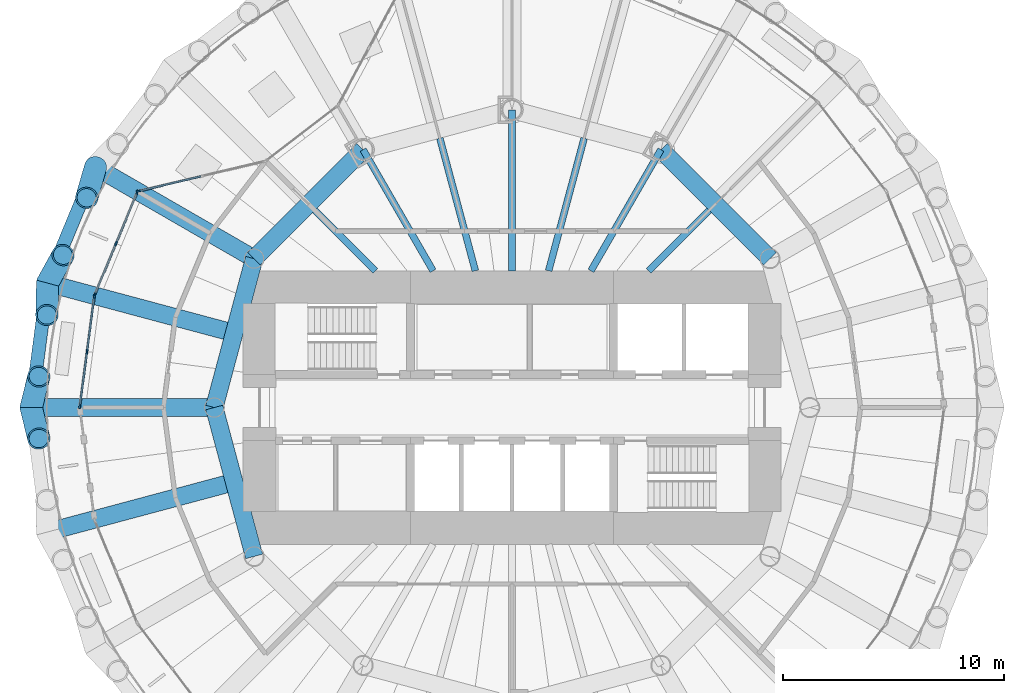
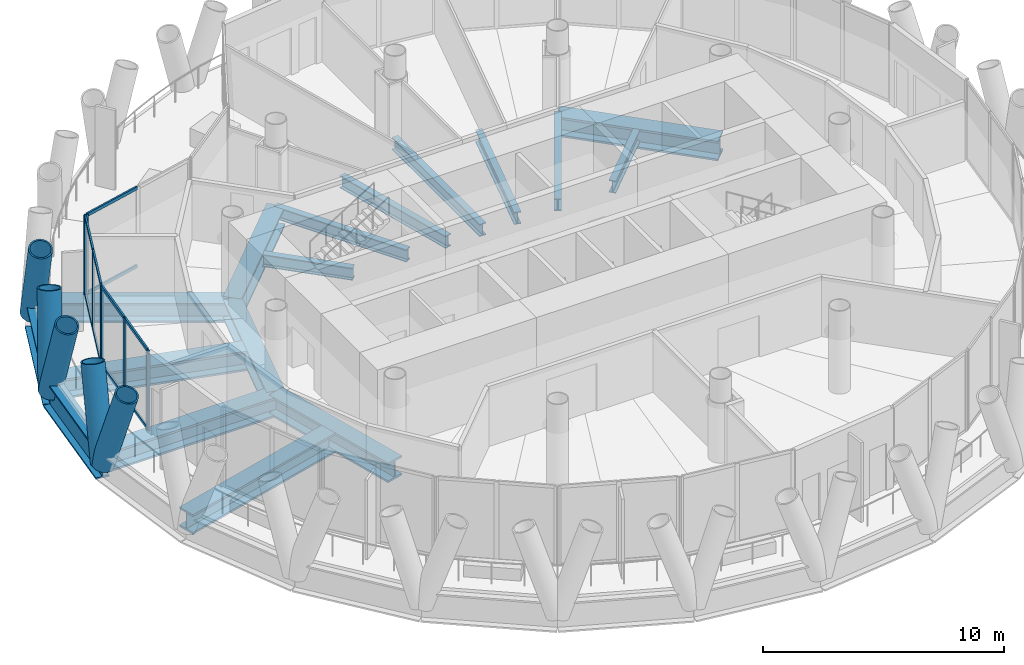
# One storey, part 3 of 14: 22 members, 17 beams, 3 elements without a shape of their own.
"""IFC4 building model written with IfcOpenShell, lengths in metres."""

from ifc_helpers import new_model, si_unit, direction, frame, origin, origin_2d, place, context, subcontext, project, spatial, rectangle, hollow_circle, i_section, extrude, material, material_profile, profile_set, type_object, element, aggregate, save


model = new_model("IFC4")

# Units and contexts
model_context = context("Model", 3, precision=1e-05, world=origin(), true_north=direction((0.0, 1.0)))
body_context = subcontext(model_context, "Body", "Model", "MODEL_VIEW")
ifc_project = project(units=[si_unit("LENGTHUNIT", "METRE"), si_unit("AREAUNIT", "SQUARE_METRE"), si_unit("VOLUMEUNIT", "CUBIC_METRE"), si_unit("PLANEANGLEUNIT", "RADIAN"), si_unit("MASSUNIT", "GRAM", prefix="KILO")], contexts=[model_context])

# Site, building, storey
site_placement = place(None, origin())
site = spatial("IfcSite", under=ifc_project, at=site_placement, CompositionType="ELEMENT")
building_placement = place(site_placement, origin())
building = spatial("IfcBuilding", under=site, at=building_placement, Name="Qaws Media Tower", CompositionType="ELEMENT")
storey_placement = place(building_placement, frame((0.0, 0.0, 261.199951171875)))
storey = spatial("IfcBuildingStorey", under=building, at=storey_placement, Name="L60", CompositionType="ELEMENT", Elevation=261.199951171875)

# Curtain wall, member
ifc_material_1 = material(Name="Aluminium and clear glass", Category="aluminium")
curtain_wall_type_1 = type_object("IfcCurtainWallType", Name="Loggia curtain wall CW-G", PredefinedType="NOTDEFINED", material=ifc_material_1)
curtain_wall_1_placement = place(storey_placement, origin())
curtain_wall_1 = element("IfcCurtainWall", 1, at=curtain_wall_1_placement, inside=storey, type_object=curtain_wall_type_1, Name="CWG curtain wall L60-10", PredefinedType="NOTDEFINED")
ifc_material_2 = material(Name="Aluminium mullion", Category="aluminium")
ifc_material_profile_1 = material_profile(ifc_material_2, rectangle(XDim=0.080078125, YDim=0.199951171875, at=origin_2d()), Name="80x200")
ifc_profile_set_1 = profile_set([ifc_material_profile_1], Name="Aluminium mullion")
member_type_1 = type_object("IfcMemberType", Name="Curtain wall mullion 80x200", PredefinedType="MULLION", material=ifc_profile_set_1)
member_1_placement = place(storey_placement, frame((43.06494140625, 59.809326171875, 0.0), z_axis=(0.0, 0.0, 1.0), x_axis=(0.230176342162, -0.973148935934, 0.0)))
member_1 = element("IfcMember", 2, at=member_1_placement, type_object=member_type_1, Name="CWG mullion 3", PredefinedType="MULLION", context=body_context, shape_type="SweptSolid", body=[
    extrude(rectangle(XDim=0.080078125, YDim=0.199951171875, at=origin_2d()), origin(), (0.0, 0.0, 1.0), 4.0400390625),
])

# Curtain wall, members
ifc_material_3 = material(Name="Aluminium and clear glass", Category="aluminium")
curtain_wall_type_2 = type_object("IfcCurtainWallType", Name="Unitised curtain wall CW-D", PredefinedType="NOTDEFINED", material=ifc_material_3)
curtain_wall_2_placement = place(storey_placement, origin())
curtain_wall_2 = element("IfcCurtainWall", 3, at=curtain_wall_2_placement, inside=storey, type_object=curtain_wall_type_2, Name="CWD curtain wall L60-11", PredefinedType="NOTDEFINED")
member_2_placement = place(storey_placement, frame((43.010498046875, 59.762939453125, 0.0), z_axis=(0.0, 0.0, 1.0), x_axis=(0.923879560063, -0.382683365851, 0.0)))
member_2 = element("IfcMember", 4, at=member_2_placement, type_object=member_type_1, Name="CWD mullion 1", PredefinedType="MULLION", context=body_context, shape_type="SweptSolid", body=[
    extrude(rectangle(XDim=0.080078125, YDim=0.199951171875, at=origin_2d()), origin(), (0.0, 0.0, 1.0), 4.0400390625),
])
member_3_placement = place(storey_placement, frame((42.046875, 57.4365234375, 0.0), z_axis=(0.0, 0.0, 1.0), x_axis=(0.923879560063, -0.382683365851, 0.0)))
member_3 = element("IfcMember", 5, at=member_3_placement, type_object=member_type_1, Name="CWD mullion 2", PredefinedType="MULLION", context=body_context, shape_type="SweptSolid", body=[
    extrude(rectangle(XDim=0.080078125, YDim=0.199951171875, at=origin_2d()), origin(), (0.0, 0.0, 1.0), 4.0400390625),
])
member_4_placement = place(storey_placement, frame((41.083251953125, 55.10986328125, 0.0), z_axis=(0.0, 0.0, 1.0), x_axis=(0.923879560063, -0.382683365851, 0.0)))
member_4 = element("IfcMember", 6, at=member_4_placement, type_object=member_type_1, Name="CWD mullion 3", PredefinedType="MULLION", context=body_context, shape_type="SweptSolid", body=[
    extrude(rectangle(XDim=0.080078125, YDim=0.199951171875, at=origin_2d()), origin(), (0.0, 0.0, 1.0), 4.0400390625),
])

curtain_wall_3_placement = place(storey_placement, origin())
curtain_wall_3 = element("IfcCurtainWall", 7, at=curtain_wall_3_placement, inside=storey, type_object=curtain_wall_type_2, Name="CWD curtain wall L60-12", PredefinedType="NOTDEFINED")
member_5_placement = place(storey_placement, frame((41.062744140625, 55.033203125, 0.0), z_axis=(0.0, 0.0, 1.0), x_axis=(0.991444855489, -0.130526236916, 0.0)))
member_5 = element("IfcMember", 8, at=member_5_placement, type_object=member_type_1, Name="CWD mullion 1", PredefinedType="MULLION", context=body_context, shape_type="SweptSolid", body=[
    extrude(rectangle(XDim=0.080078125, YDim=0.199951171875, at=origin_2d()), origin(), (0.0, 0.0, 1.0), 4.0400390625),
])
member_6_placement = place(storey_placement, frame((40.73388671875, 52.536376953125, 0.0), z_axis=(0.0, 0.0, 1.0), x_axis=(0.991444855489, -0.130526236916, 0.0)))
member_6 = element("IfcMember", 9, at=member_6_placement, type_object=member_type_1, Name="CWD mullion 2", PredefinedType="MULLION", context=body_context, shape_type="SweptSolid", body=[
    extrude(rectangle(XDim=0.080078125, YDim=0.199951171875, at=origin_2d()), origin(), (0.0, 0.0, 1.0), 4.0400390625),
])
member_7_placement = place(storey_placement, frame((40.4052734375, 50.03955078125, 0.0), z_axis=(0.0, 0.0, 1.0), x_axis=(0.991444855489, -0.130526236916, 0.0)))
member_7 = element("IfcMember", 10, at=member_7_placement, type_object=member_type_1, Name="CWD mullion 3", PredefinedType="MULLION", context=body_context, shape_type="SweptSolid", body=[
    extrude(rectangle(XDim=0.080078125, YDim=0.199951171875, at=origin_2d()), origin(), (0.0, 0.0, 1.0), 4.0400390625),
])

# Member
ifc_material_4 = material(Name="Aluminium transom", Category="aluminium")
ifc_material_profile_2 = material_profile(ifc_material_4, rectangle(XDim=0.080078125, YDim=0.159912109375, at=origin_2d()), Name="80x160")
ifc_profile_set_2 = profile_set([ifc_material_profile_2], Name="Aluminium transom")
member_type_2 = type_object("IfcMemberType", Name="Curtain wall transom 80x160", PredefinedType="USERDEFINED", material=ifc_profile_set_2)
member_8_placement = place(storey_placement, frame((45.887939453125, 60.47705078125, 0.0400390625), z_axis=(-0.973136662012, -0.230228228175, 0.0), x_axis=(0.230228228175, -0.973136662012, 0.0)))
member_8 = element("IfcMember", 11, at=member_8_placement, type_object=member_type_2, Name="CWG transom 2.1", ObjectType="TRANSOM", PredefinedType="USERDEFINED", context=body_context, shape_type="SweptSolid", body=[
    extrude(rectangle(XDim=0.080078125, YDim=0.159912109375, at=origin_2d()), origin(), (0.0, 0.0, 1.0), 2.861083984375),
])

member_9_placement = place(storey_placement, frame((45.887939453125, 60.47705078125, 4.0), z_axis=(-0.973136662012, -0.230228228175, 0.0), x_axis=(0.230228228175, -0.973136662012, 0.0)))
member_9 = element("IfcMember", 12, at=member_9_placement, type_object=member_type_2, Name="CWG transom 2.2", ObjectType="TRANSOM", PredefinedType="USERDEFINED", context=body_context, shape_type="SweptSolid", body=[
    extrude(rectangle(XDim=0.080078125, YDim=0.159912109375, at=origin_2d()), origin(), (0.0, 0.0, 1.0), 2.861083984375),
])

aggregate(curtain_wall_1, [member_1, member_8, member_9])

member_10_placement = place(storey_placement, frame((42.995361328125, 59.72607421875, 0.0400390625), z_axis=(-0.382687830351, -0.923877710793, 0.0), x_axis=(0.923877710793, -0.382687830351, 0.0)))
member_10 = element("IfcMember", 13, at=member_10_placement, type_object=member_type_2, Name="CWD transom 1.1", ObjectType="TRANSOM", PredefinedType="USERDEFINED", context=body_context, shape_type="SweptSolid", body=[
    extrude(rectangle(XDim=0.080078125, YDim=0.159912109375, at=origin_2d()), origin(), (0.0, 0.0, 1.0), 2.438232421875),
])

member_11_placement = place(storey_placement, frame((42.995361328125, 59.72607421875, 4.0), z_axis=(-0.382687830351, -0.923877710793, 0.0), x_axis=(0.923877710793, -0.382687830351, 0.0)))
member_11 = element("IfcMember", 14, at=member_11_placement, type_object=member_type_2, Name="CWD transom 1.2", ObjectType="TRANSOM", PredefinedType="USERDEFINED", context=body_context, shape_type="SweptSolid", body=[
    extrude(rectangle(XDim=0.080078125, YDim=0.159912109375, at=origin_2d()), origin(), (0.0, 0.0, 1.0), 2.438232421875),
])

member_12_placement = place(storey_placement, frame((42.031494140625, 57.3994140625, 0.0400390625), z_axis=(-0.382687830351, -0.923877710793, 0.0), x_axis=(0.923877710793, -0.382687830351, 0.0)))
member_12 = element("IfcMember", 15, at=member_12_placement, type_object=member_type_2, Name="CWD transom 2.1", ObjectType="TRANSOM", PredefinedType="USERDEFINED", context=body_context, shape_type="SweptSolid", body=[
    extrude(rectangle(XDim=0.080078125, YDim=0.159912109375, at=origin_2d()), origin(), (0.0, 0.0, 1.0), 2.438232421875),
])

member_13_placement = place(storey_placement, frame((42.031494140625, 57.3994140625, 4.0), z_axis=(-0.382687830351, -0.923877710793, 0.0), x_axis=(0.923877710793, -0.382687830351, 0.0)))
member_13 = element("IfcMember", 16, at=member_13_placement, type_object=member_type_2, Name="CWD transom 2.2", ObjectType="TRANSOM", PredefinedType="USERDEFINED", context=body_context, shape_type="SweptSolid", body=[
    extrude(rectangle(XDim=0.080078125, YDim=0.159912109375, at=origin_2d()), origin(), (0.0, 0.0, 1.0), 2.438232421875),
])

aggregate(curtain_wall_2, [member_2, member_3, member_4, member_10, member_11, member_12, member_13])

member_14_placement = place(storey_placement, frame((41.057373046875, 54.99365234375, 0.0400390625), z_axis=(-0.130464872832, -0.991452932295, 0.0), x_axis=(0.991452932295, -0.130464872832, 0.0)))
member_14 = element("IfcMember", 17, at=member_14_placement, type_object=member_type_2, Name="CWD transom 1.1", ObjectType="TRANSOM", PredefinedType="USERDEFINED", context=body_context, shape_type="SweptSolid", body=[
    extrude(rectangle(XDim=0.080078125, YDim=0.159912109375, at=origin_2d()), origin(), (0.0, 0.0, 1.0), 2.438232421875),
])

member_15_placement = place(storey_placement, frame((41.057373046875, 54.99365234375, 4.0), z_axis=(-0.130464872832, -0.991452932295, 0.0), x_axis=(0.991452932295, -0.130464872832, 0.0)))
member_15 = element("IfcMember", 18, at=member_15_placement, type_object=member_type_2, Name="CWD transom 1.2", ObjectType="TRANSOM", PredefinedType="USERDEFINED", context=body_context, shape_type="SweptSolid", body=[
    extrude(rectangle(XDim=0.080078125, YDim=0.159912109375, at=origin_2d()), origin(), (0.0, 0.0, 1.0), 2.438232421875),
])

member_16_placement = place(storey_placement, frame((40.728759765625, 52.496826171875, 0.0400390625), z_axis=(-0.130563293174, -0.991439976234, 0.0), x_axis=(0.991439976234, -0.130563293174, 0.0)))
member_16 = element("IfcMember", 19, at=member_16_placement, type_object=member_type_2, Name="CWD transom 2.1", ObjectType="TRANSOM", PredefinedType="USERDEFINED", context=body_context, shape_type="SweptSolid", body=[
    extrude(rectangle(XDim=0.080078125, YDim=0.159912109375, at=origin_2d()), origin(), (0.0, 0.0, 1.0), 2.438232421875),
])

member_17_placement = place(storey_placement, frame((40.728759765625, 52.496826171875, 4.0), z_axis=(-0.130563293174, -0.991439976234, 0.0), x_axis=(0.991439976234, -0.130563293174, 0.0)))
member_17 = element("IfcMember", 20, at=member_17_placement, type_object=member_type_2, Name="CWD transom 2.2", ObjectType="TRANSOM", PredefinedType="USERDEFINED", context=body_context, shape_type="SweptSolid", body=[
    extrude(rectangle(XDim=0.080078125, YDim=0.159912109375, at=origin_2d()), origin(), (0.0, 0.0, 1.0), 2.438232421875),
])

aggregate(curtain_wall_3, [member_5, member_6, member_7, member_14, member_15, member_16, member_17])

# Members
ifc_material_5 = material(Name="Steel S460", Category="steel")
ifc_material_profile_3 = material_profile(ifc_material_5, hollow_circle(Radius=0.508056640625, WallThickness=0.070068359375, at=origin_2d()), Name="CHS 1016x70")
ifc_profile_set_3 = profile_set([ifc_material_profile_3], Name="Steel S460")
member_type_3 = type_object("IfcMemberType", Name="Diagrid member CHS 1016x70", PredefinedType="USERDEFINED", material=ifc_profile_set_3)
for number, where, z_axis, x_axis, name in (
    (21, (41.12060546875, 60.89990234375, -0.909912109375), (-0.090786125374, -0.313025284583, 0.945395711145), (0.960421921722, -0.278549335443, 0.0), "DG3 diagrid L60 A11"),
    (22, (38.94287109375, 55.642333984375, -0.909912109375), (-0.006704360875, -0.32593085534, 0.945369837197), (0.999788506987, -0.020565536647, 0.0), "DG3 diagrid L60 A12"),
    (23, (38.94287109375, 55.642333984375, -0.909912109375), (0.157171038618, 0.285545705126, 0.94538929278), (-0.876059233473, 0.482203504183, 0.0), "DG3 diagrid L60 B12"),
    (24, (38.199951171875, 50.0, -0.909912109375), (0.077924847492, -0.316535346653, 0.945374577859), (0.97100885933, 0.239043500439, 0.0), "DG3 diagrid L60 A13"),
    (25, (38.199951171875, 50.0, -0.909912109375), (0.077924847492, 0.316535346653, 0.945374577859), (-0.97100885933, 0.239043500439, 0.0), "DG3 diagrid L60 B13"),
):
    element("IfcMember", number, at=place(storey_placement, frame(where, z_axis=z_axis, x_axis=x_axis)), inside=storey, type_object=member_type_3, Name=name, ObjectType="DIAGRID", PredefinedType="USERDEFINED", context=body_context, shape_type="SweptSolid", body=[
        extrude(hollow_circle(Radius=0.508056640625, WallThickness=0.070068359375, at=origin_2d()), origin(), (0.0, 0.0, 1.0), 4.442626953125),
    ])

# Beams
ifc_material_6 = material(Name="Steel S460", Category="steel")
ifc_material_profile_4 = material_profile(ifc_material_6, i_section(OverallWidth=0.60009765625, OverallDepth=1.5, WebThickness=0.030029296875, FlangeThickness=0.080078125, at=origin_2d()), Name="PG 1500x600")
ifc_profile_set_4 = profile_set([ifc_material_profile_4], Name="Steel S460")
beam_type_1 = type_object("IfcBeamType", Name="Edge ring beam PG 1500x600", PredefinedType="BEAM", material=ifc_profile_set_4)
beam_1_placement = place(storey_placement, frame((41.12060546875, 60.89990234375, -0.909912109375), z_axis=(-0.382680170901, -0.923880883447, 0.0), x_axis=(0.923880883447, -0.382680170901, 0.0)))
element("IfcBeam", 26, at=beam_1_placement, inside=storey, type_object=beam_type_1, Name="RB5 edge ring beam L60-11", PredefinedType="BEAM", context=body_context, shape_type="SweptSolid", body=[
    extrude(i_section(OverallWidth=0.60009765625, OverallDepth=1.5, WebThickness=0.030029296875, FlangeThickness=0.080078125, at=origin_2d()), origin(), (0.0, 0.0, 1.0), 5.690673828125),
])
beam_2_placement = place(storey_placement, frame((38.94287109375, 55.642333984375, -0.909912109375), z_axis=(-0.130542179395, -0.991442756491, 0.0), x_axis=(0.991442756491, -0.130542179395, 0.0)))
element("IfcBeam", 27, at=beam_2_placement, inside=storey, type_object=beam_type_1, Name="RB5 edge ring beam L60-12", PredefinedType="BEAM", context=body_context, shape_type="SweptSolid", body=[
    extrude(i_section(OverallWidth=0.60009765625, OverallDepth=1.5, WebThickness=0.030029296875, FlangeThickness=0.080078125, at=origin_2d()), origin(), (0.0, 0.0, 1.0), 5.69091796875),
])
ifc_material_7 = material(Name="Steel S460", Category="steel")
ifc_material_profile_5 = material_profile(ifc_material_7, i_section(OverallWidth=0.800048828125, OverallDepth=1.0, WebThickness=0.0400390625, FlangeThickness=0.10009765625, at=origin_2d()), Name="PG 1000x800")
ifc_profile_set_5 = profile_set([ifc_material_profile_5], Name="Steel S460")
beam_type_2 = type_object("IfcBeamType", Name="Inner ring girder PG 1000x800", PredefinedType="BEAM", material=ifc_profile_set_5)
for number, where, z_axis, x_axis, name in (
    (28, (71.69140625, 56.75, -0.659912109375), (-0.707106781187, 0.707106781187, 0.0), (-0.707106781187, -0.707106781187, 0.0), "B3 inner ring beam L60 I02-I03"),
    (29, (53.25, 61.69140625, -0.659912109375), (-0.707106781187, -0.707106781187, 0.0), (0.707106781187, -0.707106781187, 0.0), "B3 inner ring beam L60 I05-I06"),
):
    element("IfcBeam", number, at=place(storey_placement, frame(where, z_axis=z_axis, x_axis=x_axis)), inside=storey, type_object=beam_type_2, Name=name, PredefinedType="BEAM", context=body_context, shape_type="SweptSolid", body=[
        extrude(i_section(OverallWidth=0.800048828125, OverallDepth=1.0, WebThickness=0.0400390625, FlangeThickness=0.10009765625, at=origin_2d()), origin(), (0.0, 0.0, 1.0), 6.98828125),
    ])
for number, where, z_axis, x_axis, name in (
    (30, (48.30859375, 56.75, -0.659912109375), (-0.258810593767, -0.965928090778, 0.0), (0.965928090778, -0.258810593767, 0.0), "B3 inner ring beam L60 I06-I07"),
    (31, (46.5, 50.0, -0.659912109375), (0.258810593767, -0.965928090778, 0.0), (0.965928090778, 0.258810593767, 0.0), "B3 inner ring beam L60 I07-I08"),
):
    element("IfcBeam", number, at=place(storey_placement, frame(where, z_axis=z_axis, x_axis=x_axis)), inside=storey, type_object=beam_type_2, Name=name, PredefinedType="BEAM", context=body_context, shape_type="SweptSolid", body=[
        extrude(i_section(OverallWidth=0.800048828125, OverallDepth=1.0, WebThickness=0.0400390625, FlangeThickness=0.10009765625, at=origin_2d()), origin(), (0.0, 0.0, 1.0), 6.988037109375),
    ])
ifc_material_8 = material(Name="Steel S355", Category="steel")
ifc_material_profile_6 = material_profile(ifc_material_8, i_section(OverallWidth=0.304931640625, OverallDepth=0.6201171875, WebThickness=0.02099609375, FlangeThickness=0.0400390625, FilletRadius=0.027099609375, at=origin_2d()), Name="HE 600 M")
ifc_profile_set_6 = profile_set([ifc_material_profile_6], Name="Steel S355")
beam_type_3 = type_object("IfcBeamType", Name="Radial beam HE 600 M, core side", PredefinedType="BEAM", material=ifc_profile_set_6)
beam_3_placement = place(storey_placement, frame((66.199951171875, 56.199951171875, -0.469970703125), z_axis=(0.707106781187, 0.707106781187, 0.0), x_axis=(-0.707106781187, 0.707106781187, 0.0)))
element("IfcBeam", 32, at=beam_3_placement, inside=storey, type_object=beam_type_3, Name="B2 radial beam L60 04", PredefinedType="BEAM", context=body_context, shape_type="SweptSolid", body=[
    extrude(i_section(OverallWidth=0.304931640625, OverallDepth=0.6201171875, WebThickness=0.02099609375, FlangeThickness=0.0400390625, FilletRadius=0.027099609375, at=origin_2d()), origin(), (0.0, 0.0, 1.0), 3.871826171875),
])
beam_4_placement = place(storey_placement, frame((63.57958984375, 56.199951171875, -0.469970703125), z_axis=(0.499990193304, 0.866031065609, 0.0), x_axis=(-0.866031065609, 0.499990193304, 0.0)))
element("IfcBeam", 33, at=beam_4_placement, inside=storey, type_object=beam_type_3, Name="B2 radial beam L60 05", PredefinedType="BEAM", context=body_context, shape_type="SweptSolid", body=[
    extrude(i_section(OverallWidth=0.304931640625, OverallDepth=0.6201171875, WebThickness=0.02099609375, FlangeThickness=0.0400390625, FilletRadius=0.027099609375, at=origin_2d()), origin(), (0.0, 0.0, 1.0), 6.341064453125),
])
beam_5_placement = place(storey_placement, frame((61.661376953125, 56.199951171875, -0.469970703125), z_axis=(0.258808008719, 0.965928783412, 0.0), x_axis=(-0.965928783412, 0.258808008719, 0.0)))
element("IfcBeam", 34, at=beam_5_placement, inside=storey, type_object=beam_type_3, Name="B2 radial beam L60 06", PredefinedType="BEAM", context=body_context, shape_type="SweptSolid", body=[
    extrude(i_section(OverallWidth=0.304931640625, OverallDepth=0.6201171875, WebThickness=0.02099609375, FlangeThickness=0.0400390625, FilletRadius=0.027099609375, at=origin_2d()), origin(), (0.0, 0.0, 1.0), 6.22119140625),
])
beam_6_placement = place(storey_placement, frame((60.0, 56.199951171875, -0.469970703125), z_axis=(0.0, 1.0, 0.0), x_axis=(-1.0, 0.0, 0.0)))
element("IfcBeam", 35, at=beam_6_placement, inside=storey, type_object=beam_type_3, Name="B2 radial beam L60 07", PredefinedType="BEAM", context=body_context, shape_type="SweptSolid", body=[
    extrude(i_section(OverallWidth=0.304931640625, OverallDepth=0.6201171875, WebThickness=0.02099609375, FlangeThickness=0.0400390625, FilletRadius=0.027099609375, at=origin_2d()), origin(), (0.0, 0.0, 1.0), 7.300048828125),
])
beam_7_placement = place(storey_placement, frame((58.338623046875, 56.199951171875, -0.469970703125), z_axis=(-0.258808008719, 0.965928783412, 0.0), x_axis=(-0.965928783412, -0.258808008719, 0.0)))
element("IfcBeam", 36, at=beam_7_placement, inside=storey, type_object=beam_type_3, Name="B2 radial beam L60 08", PredefinedType="BEAM", context=body_context, shape_type="SweptSolid", body=[
    extrude(i_section(OverallWidth=0.304931640625, OverallDepth=0.6201171875, WebThickness=0.02099609375, FlangeThickness=0.0400390625, FilletRadius=0.027099609375, at=origin_2d()), origin(), (0.0, 0.0, 1.0), 6.22119140625),
])
beam_8_placement = place(storey_placement, frame((56.42041015625, 56.199951171875, -0.469970703125), z_axis=(-0.499990193304, 0.866031065609, 0.0), x_axis=(-0.866031065609, -0.499990193304, 0.0)))
element("IfcBeam", 37, at=beam_8_placement, inside=storey, type_object=beam_type_3, Name="B2 radial beam L60 09", PredefinedType="BEAM", context=body_context, shape_type="SweptSolid", body=[
    extrude(i_section(OverallWidth=0.304931640625, OverallDepth=0.6201171875, WebThickness=0.02099609375, FlangeThickness=0.0400390625, FilletRadius=0.027099609375, at=origin_2d()), origin(), (0.0, 0.0, 1.0), 6.341064453125),
])
beam_9_placement = place(storey_placement, frame((53.800048828125, 56.199951171875, -0.469970703125), z_axis=(-0.707106781187, 0.707106781187, 0.0), x_axis=(-0.707106781187, -0.707106781187, 0.0)))
element("IfcBeam", 38, at=beam_9_placement, inside=storey, type_object=beam_type_3, Name="B2 radial beam L60 10", PredefinedType="BEAM", context=body_context, shape_type="SweptSolid", body=[
    extrude(i_section(OverallWidth=0.304931640625, OverallDepth=0.6201171875, WebThickness=0.02099609375, FlangeThickness=0.0400390625, FilletRadius=0.027099609375, at=origin_2d()), origin(), (0.0, 0.0, 1.0), 3.871826171875),
])
ifc_material_9 = material(Name="Steel S460", Category="steel")
ifc_material_profile_7 = material_profile(ifc_material_9, i_section(OverallWidth=0.800048828125, OverallDepth=1.0, WebThickness=0.0400390625, FlangeThickness=0.10009765625, at=origin_2d()), Name="PG 1000x800")
ifc_profile_set_7 = profile_set([ifc_material_profile_7], Name="Steel S460")
beam_type_4 = type_object("IfcBeamType", Name="Radial girder PG 1000x800", PredefinedType="BEAM", material=ifc_profile_set_7)
beam_10_placement = place(storey_placement, frame((48.30859375, 56.75, -0.659912109375), z_axis=(-0.86602981871, 0.499992353047, 0.0), x_axis=(-0.499992353047, -0.86602981871, 0.0)))
element("IfcBeam", 39, at=beam_10_placement, inside=storey, type_object=beam_type_4, Name="B1 radial beam L60 11", PredefinedType="BEAM", context=body_context, shape_type="SweptSolid", body=[
    extrude(i_section(OverallWidth=0.800048828125, OverallDepth=1.0, WebThickness=0.0400390625, FlangeThickness=0.10009765625, at=origin_2d()), origin(), (0.0, 0.0, 1.0), 8.300048828125),
])
beam_11_placement = place(storey_placement, frame((47.01806640625, 53.478515625, -0.659912109375), z_axis=(-0.965923544674, 0.258827560057, 0.0), x_axis=(-0.258827560057, -0.965923544674, 0.0)))
element("IfcBeam", 40, at=beam_11_placement, inside=storey, type_object=beam_type_4, Name="B1 radial beam L60 12", PredefinedType="BEAM", context=body_context, shape_type="SweptSolid", body=[
    extrude(i_section(OverallWidth=0.800048828125, OverallDepth=1.0, WebThickness=0.0400390625, FlangeThickness=0.10009765625, at=origin_2d()), origin(), (0.0, 0.0, 1.0), 8.360107421875),
])
beam_12_placement = place(storey_placement, frame((46.5, 50.0, -0.659912109375), z_axis=(-1.0, 0.0, 0.0), x_axis=(0.0, -1.0, 0.0)))
element("IfcBeam", 41, at=beam_12_placement, inside=storey, type_object=beam_type_4, Name="B1 radial beam L60 13", PredefinedType="BEAM", context=body_context, shape_type="SweptSolid", body=[
    extrude(i_section(OverallWidth=0.800048828125, OverallDepth=1.0, WebThickness=0.0400390625, FlangeThickness=0.10009765625, at=origin_2d()), origin(), (0.0, 0.0, 1.0), 8.300048828125),
])
beam_13_placement = place(storey_placement, frame((47.01806640625, 46.521484375, -0.659912109375), z_axis=(-0.965923544674, -0.258827560057, 0.0), x_axis=(0.258827560057, -0.965923544674, 0.0)))
element("IfcBeam", 42, at=beam_13_placement, inside=storey, type_object=beam_type_4, Name="B1 radial beam L60 14", PredefinedType="BEAM", context=body_context, shape_type="SweptSolid", body=[
    extrude(i_section(OverallWidth=0.800048828125, OverallDepth=1.0, WebThickness=0.0400390625, FlangeThickness=0.10009765625, at=origin_2d()), origin(), (0.0, 0.0, 1.0), 8.360107421875),
])

save(model, "model.ifc")
